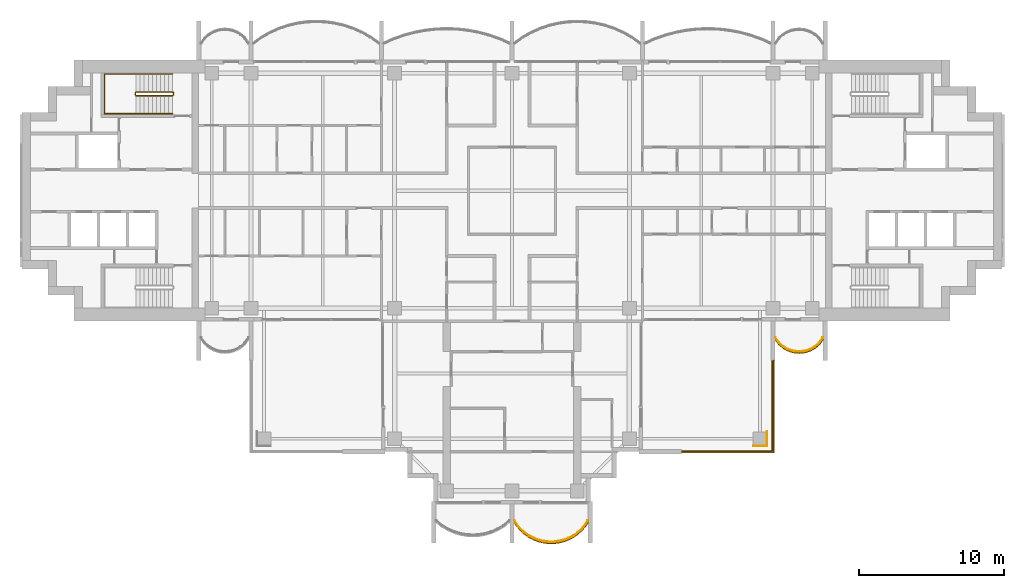
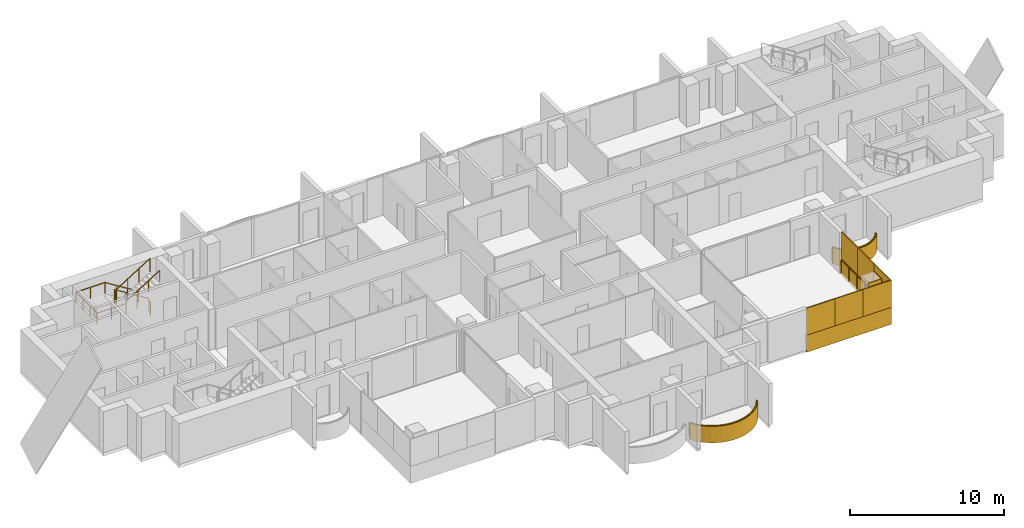
# One storey, part 15 of 17: 11 coverings, 5 railings.
"""IFC4 building model written with IfcOpenShell, lengths in metres."""

import ifcopenshell
import ifcopenshell.guid

model = None  # the IFC model being written
_history = None  # IfcOwnerHistory: only IFC2X3 demands one
_inside = {}  # id of a spatial element -> (the spatial element, [elements in it])
_under = {}  # id of a project, library or spatial element -> (it, [spatial elements below it])
_declared = {}  # id of a project -> (the project, [libraries it declares])
_typed = {}  # id of a type object -> (the type object, [elements of that type])
_made_of = {}  # id of a material, layer set ... -> (it, [elements and type objects made of it])


def new_model(schema):
    """Start an empty IFC model of exactly this schema.

    Asked for "IFC4X3", IfcOpenShell would pick the latest addendum, in which some entities
    have other attributes; the version numbers below select the first issue.
    IFC2X3 requires an IfcOwnerHistory on every rooted entity: one is made here for all.
    """
    global model, _history
    if schema == "IFC4X3":
        model = ifcopenshell.file(schema_version=(4, 3, 0, 0))
    else:
        model = ifcopenshell.file(schema=schema)
    _inside.clear()
    _under.clear()
    _declared.clear()
    _typed.clear()
    _made_of.clear()
    _history = None
    if model.schema == "IFC2X3":
        org = make("IfcOrganization", Name="unknown")
        user = make(
            "IfcPersonAndOrganization",
            ThePerson=make("IfcPerson", FamilyName="unknown"),
            TheOrganization=org,
        )
        app = make(
            "IfcApplication",
            ApplicationDeveloper=org,
            Version="unknown",
            ApplicationFullName="unknown",
            ApplicationIdentifier="unknown",
        )
        _history = make(
            "IfcOwnerHistory",
            OwningUser=user,
            OwningApplication=app,
            ChangeAction="ADDED",
            CreationDate=0,
        )
    return model


def make(cls, **values):
    """One entity of the class cls with the attributes given. An attribute that is None is left unset."""
    return model.create_entity(
        cls, **{name: value for name, value in values.items() if value is not None}
    )


def rooted(cls, **values):
    """An entity with a GlobalId (a new one), such as an element, a storey or a relation."""
    return make(cls, GlobalId=ifcopenshell.guid.new(), OwnerHistory=_history, **values)


def si_unit(unit_type, name, prefix=None):
    """IfcSIUnit, for example si_unit("LENGTHUNIT", "METRE", prefix="MILLI")."""
    return make("IfcSIUnit", UnitType=unit_type, Prefix=prefix, Name=name)


def assignment(units):
    """IfcUnitAssignment: the units of a project."""
    return None if units is None else make("IfcUnitAssignment", Units=units)


def point(xyz):
    """IfcCartesianPoint."""
    return None if xyz is None else make("IfcCartesianPoint", Coordinates=xyz)


def direction(xyz):
    """IfcDirection."""
    return None if xyz is None else make("IfcDirection", DirectionRatios=xyz)


def frame(location, z_axis=None, x_axis=None):
    """IfcAxis2Placement3D, a coordinate frame: its origin and axes. An axis left out is left unset."""
    return make(
        "IfcAxis2Placement3D",
        Location=point(location),
        Axis=direction(z_axis),
        RefDirection=direction(x_axis),
    )


def frame_2d(location, x_axis=None):
    """IfcAxis2Placement2D, a coordinate frame in the plane: its origin and x axis."""
    return make(
        "IfcAxis2Placement2D", Location=point(location), RefDirection=direction(x_axis)
    )


def origin():
    """The frame at (0, 0, 0) with its axes left unset."""
    return frame((0.0, 0.0, 0.0))


def origin_2d():
    """The frame at (0, 0) in the plane with its x axis left unset."""
    return frame_2d((0.0, 0.0))


def place(relative_to, where):
    """IfcLocalPlacement: puts the frame where relative to a parent placement (None: the world)."""
    return make(
        "IfcLocalPlacement", PlacementRelTo=relative_to, RelativePlacement=where
    )


def context(
    kind, dimensions, precision=None, world=None, true_north=None, identifier=None
):
    """IfcGeometricRepresentationContext, for example the 3D "Model" context."""
    return make(
        "IfcGeometricRepresentationContext",
        ContextIdentifier=identifier,
        ContextType=kind,
        CoordinateSpaceDimension=dimensions,
        Precision=precision,
        WorldCoordinateSystem=world,
        TrueNorth=true_north,
    )


def subcontext(parent, identifier, kind, view, scale=None):
    """IfcGeometricRepresentationSubContext, for example "Body" below "Model"."""
    return make(
        "IfcGeometricRepresentationSubContext",
        ContextIdentifier=identifier,
        ContextType=kind,
        ParentContext=parent,
        TargetScale=scale,
        TargetView=view,
    )


def project(units=None, contexts=None):
    """IfcProject with its units and contexts."""
    return rooted(
        "IfcProject",
        Name="project",
        RepresentationContexts=contexts,
        UnitsInContext=assignment(units),
    )


def spatial(cls, under=None, at=None, **own):
    """A site, building, storey or space (cls), placed at a placement, below another one or the project."""
    s = rooted(cls, ObjectPlacement=at, **own)
    if under is not None:
        _under.setdefault(under.id(), (under, []))[1].append(s)
    return s


def polyline(points):
    """IfcPolyline through the points."""
    return make("IfcPolyline", Points=[point(p) for p in points])


def profile(cls, at=None, kind="AREA", **sizes):
    """A parametric profile (cls). Its sizes go by their IFC names, for example OverallWidth=200.0."""
    return make(cls, ProfileType=kind, Position=at, **sizes)


def rectangle(**sizes):
    """IfcRectangleProfileDef."""
    return profile("IfcRectangleProfileDef", **sizes)


def outline(outer, holes=None, kind="AREA"):
    """IfcArbitraryClosedProfileDef: a profile drawn as a closed curve; with holes, ...WithVoids."""
    if holes is None:
        return make("IfcArbitraryClosedProfileDef", ProfileType=kind, OuterCurve=outer)
    return make(
        "IfcArbitraryProfileDefWithVoids",
        ProfileType=kind,
        OuterCurve=outer,
        InnerCurves=holes,
    )


def extrude(swept, where, along, depth):
    """IfcExtrudedAreaSolid: the profile swept, set in the frame where, extruded along a direction by depth."""
    return make(
        "IfcExtrudedAreaSolid",
        SweptArea=swept,
        Position=where,
        ExtrudedDirection=direction(along),
        Depth=depth,
    )


def shape(context_of_items, identifier, shape_type, items):
    """IfcShapeRepresentation: the items that make up one representation, for example the "Body"."""
    return make(
        "IfcShapeRepresentation",
        ContextOfItems=context_of_items,
        RepresentationIdentifier=identifier,
        RepresentationType=shape_type,
        Items=items,
    )


def material(Name=None, Category=None):
    """IfcMaterial."""
    return make("IfcMaterial", Name=Name, Category=Category)


def layer(
    of_material, thickness, ventilated=None, Name=None, Category=None, Priority=None
):
    """IfcMaterialLayer: one layer of a wall or slab, of a material (None: an air gap)."""
    return make(
        "IfcMaterialLayer",
        Material=of_material,
        LayerThickness=thickness,
        IsVentilated=ventilated,
        Name=Name,
        Category=Category,
        Priority=Priority,
    )


def layer_set(layers, Name=None):
    """IfcMaterialLayerSet."""
    return make("IfcMaterialLayerSet", MaterialLayers=layers, LayerSetName=Name)


def made_of(thing, what):
    """Note that an element or type object is made of a material, layer set ...; save() writes the relation."""
    if what is not None:
        _made_of.setdefault(what.id(), (what, []))[1].append(thing)
    return thing


def type_object(cls, material=None, **own):
    """A type object (cls), such as IfcWallType, which elements share."""
    return made_of(rooted(cls, **own), material)


def element(
    cls,
    number,
    at=None,
    inside=None,
    cuts=None,
    type_object=None,
    material=None,
    context=None,
    identifier="Body",
    shape_type=None,
    held_by="IfcProductDefinitionShape",
    body=None,
    shapes=None,
    **own,
):
    """One element of the class cls, such as IfcWall. Its Tag is "e" and its number.

    at: its placement. inside: the storey or other place that contains it. cuts: it is an
    opening in that element (IfcRelVoidsElement). A single representation is given by context,
    identifier, shape_type and body (its items); several are given by shapes. held_by: the class
    of the entity that holds the representations. save() writes the other relations.
    """
    e = rooted(cls, Tag="e%d" % number, ObjectPlacement=at, **own)
    if body is not None:
        shapes = [shape(context, identifier, shape_type, body)]
    if shapes is not None:
        e.Representation = make(held_by, Representations=shapes)
    if inside is not None:
        _inside.setdefault(inside.id(), (inside, []))[1].append(e)
    if cuts is not None:
        rooted(
            "IfcRelVoidsElement", RelatingBuildingElement=cuts, RelatedOpeningElement=e
        )
    if type_object is not None:
        _typed.setdefault(type_object.id(), (type_object, []))[1].append(e)
    return made_of(e, material)


def aggregate(whole, parts):
    """IfcRelAggregates: a whole, such as a stair, and the parts it consists of."""
    return rooted("IfcRelAggregates", RelatingObject=whole, RelatedObjects=parts)


def save(model, path):
    """Write the relations noted so far, then the file.

    IfcRelAggregates (storeys below a building ...), IfcRelContainedInSpatialStructure (elements
    in a storey), IfcRelDefinesByType, IfcRelAssociatesMaterial and IfcRelDeclares: one each for
    every whole, place, type object, material and project.
    """
    for whole, parts in _under.values():
        aggregate(whole, parts)
    for where, things in _inside.values():
        rooted(
            "IfcRelContainedInSpatialStructure",
            RelatedElements=things,
            RelatingStructure=where,
        )
    for kind, things in _typed.values():
        rooted("IfcRelDefinesByType", RelatedObjects=things, RelatingType=kind)
    for what, things in _made_of.values():
        rooted("IfcRelAssociatesMaterial", RelatedObjects=things, RelatingMaterial=what)
    for by, libraries in _declared.values():
        rooted("IfcRelDeclares", RelatingContext=by, RelatedDefinitions=libraries)
    model.write(path)


model = new_model("IFC4")

# Units and contexts
model_context = context("Model", 3, precision=1e-05, world=origin(), true_north=direction((0.0, 1.0)))
body_context = subcontext(model_context, "Body", "Model", "MODEL_VIEW")
ifc_project = project(units=[si_unit("LENGTHUNIT", "METRE"), si_unit("AREAUNIT", "SQUARE_METRE"), si_unit("VOLUMEUNIT", "CUBIC_METRE"), si_unit("PLANEANGLEUNIT", "RADIAN"), si_unit("MASSUNIT", "GRAM", prefix="KILO")], contexts=[model_context])

# Site, building, storey
site_placement = place(None, origin())
site = spatial("IfcSite", under=ifc_project, at=site_placement, CompositionType="ELEMENT")
building_placement = place(site_placement, origin())
building = spatial("IfcBuilding", under=site, at=building_placement, Name="Perihelion Cross Residences", CompositionType="ELEMENT")
storey_placement = place(building_placement, frame((0.0, 0.0, 191.10009765625)))
storey = spatial("IfcBuildingStorey", under=building, at=storey_placement, Name="L47", CompositionType="ELEMENT", Elevation=191.10009765625)

# Coverings
ifc_material_1 = material(Name="Bronze anodised aluminium", Category="aluminium")
ifc_layer_1 = layer(ifc_material_1, 0.070068359375)
ifc_layer_set_1 = layer_set([ifc_layer_1], Name="Balcony fascia 1300")
covering_type_1 = type_object("IfcCoveringType", Name="Balcony fascia 1300", PredefinedType="CLADDING", material=ifc_layer_set_1)
covering_1_placement = place(storey_placement, frame((0.0, 0.0, -0.2001953125)))
element("IfcCovering", 1, at=covering_1_placement, inside=storey, type_object=covering_type_1, Name="Fascia BF1 L47 south tip south bay 2", PredefinedType="CLADDING", context=body_context, shape_type="SweptSolid", body=[
    extrude(outline(polyline([(0.43701171875, -23.322509765625), (0.78515625, -23.66064453125), (1.13330078125, -23.90869140625), (1.4814453125, -24.091064453125), (1.82958984375, -24.22021484375), (2.177734375, -24.30322265625), (2.52587890625, -24.343994140625), (2.8740234375, -24.343994140625), (3.22216796875, -24.30322265625), (3.5703125, -24.22021484375), (3.91845703125, -24.091064453125), (4.2666015625, -23.90869140625), (4.61474609375, -23.66064453125), (4.963134765625, -23.322509765625), (5.25, -22.92041015625), (5.25, -22.800048828125), (4.909912109375, -23.27685546875), (4.570068359375, -23.60693359375), (4.22998046875, -23.84912109375), (3.889892578125, -24.027099609375), (3.550048828125, -24.1533203125), (3.2099609375, -24.234375), (2.8701171875, -24.274169921875), (2.530029296875, -24.274169921875), (2.18994140625, -24.234375), (1.85009765625, -24.1533203125), (1.510009765625, -24.027099609375), (1.169921875, -23.84912109375), (0.830078125, -23.60693359375), (0.489990234375, -23.27685546875), (0.14990234375, -22.800048828125), (0.14990234375, -22.92041015625), (0.43701171875, -23.322509765625)])), origin(), (0.0, 0.0, 1.0), 1.300048828125),
])
covering_2_placement = place(storey_placement, frame((0.0, 0.0, -0.2001953125)))
element("IfcCovering", 2, at=covering_2_placement, inside=storey, type_object=covering_type_1, Name="Fascia BF1 L47 east side south bay 2", PredefinedType="CLADDING", context=body_context, shape_type="SweptSolid", body=[
    extrude(outline(polyline([(18.373779296875, -10.616455078125), (18.6591796875, -10.86328125), (18.9443359375, -11.031494140625), (19.229736328125, -11.142578125), (19.514892578125, -11.206298828125), (19.800048828125, -11.22705078125), (20.085205078125, -11.206298828125), (20.370361328125, -11.142578125), (20.655517578125, -11.031494140625), (20.94091796875, -10.86328125), (21.226318359375, -10.616455078125), (21.449951171875, -10.31689453125), (21.449951171875, -10.199951171875), (21.175048828125, -10.568603515625), (20.89990234375, -10.806396484375), (20.625, -10.96875), (20.35009765625, -11.07568359375), (20.074951171875, -11.136962890625), (19.800048828125, -11.156982421875), (19.52490234375, -11.136962890625), (19.25, -11.07568359375), (18.97509765625, -10.96875), (18.699951171875, -10.806396484375), (18.425048828125, -10.568603515625), (18.14990234375, -10.199951171875), (18.14990234375, -10.31689453125), (18.373779296875, -10.616455078125)])), origin(), (0.0, 0.0, 1.0), 1.300048828125),
])

# Railings
ifc_material_2 = material(Name="Bronze anodised aluminium", Category="aluminium")
railing_type_1 = type_object("IfcRailingType", Name="Balcony guard 1100", PredefinedType="GUARDRAIL", material=ifc_material_2)
railing_1_placement = place(storey_placement, frame((0.175048828125, -22.739990234375, 0.0)))
element("IfcRailing", 3, at=railing_1_placement, inside=storey, type_object=railing_type_1, Name="Guard GU1 L47 south tip south bay 2 balcony", PredefinedType="GUARDRAIL", context=body_context, shape_type="SweptSolid", body=[
    extrude(rectangle(XDim=0.048095703125, YDim=0.048095703125, at=origin_2d()), frame((0.0, 0.0, 1.076171875), z_axis=(0.551145731138, -0.834409002258, 0.0), x_axis=(0.834409002258, 0.551145731138, 0.0)), (0.0, 0.0, 1.0), 0.571533203125),
    extrude(rectangle(XDim=0.048095703125, YDim=0.048095703125, at=origin_2d()), frame((0.31494140625, -0.476806640625, 1.076171875), z_axis=(0.717588263781, -0.696467575472, 0.0), x_axis=(0.696467575472, 0.717588263781, 0.0)), (0.0, 0.0, 1.0), 0.473876953125),
    extrude(rectangle(XDim=0.048095703125, YDim=0.048095703125, at=origin_2d()), frame((0.655029296875, -0.806884765625, 1.076171875), z_axis=(0.814365457194, -0.580352394782, 0.0), x_axis=(0.580352394782, 0.814365457194, 0.0)), (0.0, 0.0, 1.0), 0.417236328125),
    extrude(rectangle(XDim=0.048095703125, YDim=0.048095703125, at=origin_2d()), frame((0.994873046875, -1.049072265625, 1.076171875), z_axis=(0.885744400902, -0.464173304134, 0.0), x_axis=(0.464173304134, 0.885744400902, 0.0)), (0.0, 0.0, 1.0), 0.384033203125),
    extrude(rectangle(XDim=0.048095703125, YDim=0.048095703125, at=origin_2d()), frame((1.3349609375, -1.227294921875, 1.076171875), z_axis=(0.937732519052, -0.347358205191, 0.0), x_axis=(0.347358205191, 0.937732519052, 0.0)), (0.0, 0.0, 1.0), 0.362548828125),
    extrude(rectangle(XDim=0.048095703125, YDim=0.048095703125, at=origin_2d()), frame((1.675048828125, -1.353271484375, 1.076171875), z_axis=(0.972716168284, -0.231998396458, 0.0), x_axis=(0.231998396458, 0.972716168284, 0.0)), (0.0, 0.0, 1.0), 0.349365234375),
    extrude(rectangle(XDim=0.048095703125, YDim=0.048095703125, at=origin_2d()), frame((2.014892578125, -1.434326171875, 1.076171875), z_axis=(0.993223414934, -0.116220686744, 0.0), x_axis=(0.116220686744, 0.993223414934, 0.0)), (0.0, 0.0, 1.0), 0.342529296875),
    extrude(rectangle(XDim=0.048095703125, YDim=0.048095703125, at=origin_2d()), frame((2.35498046875, -1.47412109375, 1.076171875), z_axis=(1.0, 0.0, 0.0), x_axis=(0.0, 1.0, 0.0)), (0.0, 0.0, 1.0), 0.340087890625),
    extrude(rectangle(XDim=0.048095703125, YDim=0.048095703125, at=origin_2d()), frame((2.695068359375, -1.47412109375, 1.076171875), z_axis=(0.993213773886, 0.116303049672, 0.0), x_axis=(-0.116303049672, 0.993213773886, 0.0)), (0.0, 0.0, 1.0), 0.34228515625),
    extrude(rectangle(XDim=0.048095703125, YDim=0.048095703125, at=origin_2d()), frame((3.034912109375, -1.434326171875, 1.076171875), z_axis=(0.972753741142, 0.231840805498, 0.0), x_axis=(-0.231840805498, 0.972753741142, 0.0)), (0.0, 0.0, 1.0), 0.349609375),
    extrude(rectangle(XDim=0.048095703125, YDim=0.048095703125, at=origin_2d()), frame((3.375, -1.353271484375, 1.076171875), z_axis=(0.937651218339, 0.347577606798, 0.0), x_axis=(-0.347577606798, 0.937651218339, 0.0)), (0.0, 0.0, 1.0), 0.362548828125),
    extrude(rectangle(XDim=0.048095703125, YDim=0.048095703125, at=origin_2d()), frame((3.71484375, -1.227294921875, 1.076171875), z_axis=(0.885744400902, 0.464173304134, 0.0), x_axis=(-0.464173304134, 0.885744400902, 0.0)), (0.0, 0.0, 1.0), 0.384033203125),
    extrude(rectangle(XDim=0.048095703125, YDim=0.048095703125, at=origin_2d()), frame((4.054931640625, -1.049072265625, 1.076171875), z_axis=(0.814562360662, 0.580075995532, 0.0), x_axis=(-0.580075995532, 0.814562360662, 0.0)), (0.0, 0.0, 1.0), 0.41748046875),
    extrude(rectangle(XDim=0.048095703125, YDim=0.048095703125, at=origin_2d()), frame((4.39501953125, -0.806884765625, 1.076171875), z_axis=(0.71733824833, 0.696725080274, 0.0), x_axis=(-0.696725080274, 0.71733824833, 0.0)), (0.0, 0.0, 1.0), 0.473876953125),
    extrude(rectangle(XDim=0.048095703125, YDim=0.048095703125, at=origin_2d()), frame((4.73486328125, -0.476806640625, 1.076171875), z_axis=(0.55144309028, 0.834212513801, 0.0), x_axis=(-0.834212513801, 0.55144309028, 0.0)), (0.0, 0.0, 1.0), 0.571533203125),
    extrude(rectangle(XDim=0.0419921875, YDim=0.0419921875, at=origin_2d()), origin(), (0.0, 0.0, 1.0), 1.052001953125),
    extrude(rectangle(XDim=0.0419921875, YDim=0.0419921875, at=origin_2d()), frame((0.31494140625, -0.476806640625, 0.0)), (0.0, 0.0, 1.0), 1.052001953125),
    extrude(rectangle(XDim=0.0419921875, YDim=0.0419921875, at=origin_2d()), frame((0.655029296875, -0.806884765625, 0.0)), (0.0, 0.0, 1.0), 1.052001953125),
    extrude(rectangle(XDim=0.0419921875, YDim=0.0419921875, at=origin_2d()), frame((0.994873046875, -1.049072265625, 0.0)), (0.0, 0.0, 1.0), 1.052001953125),
    extrude(rectangle(XDim=0.0419921875, YDim=0.0419921875, at=origin_2d()), frame((1.3349609375, -1.227294921875, 0.0)), (0.0, 0.0, 1.0), 1.052001953125),
    extrude(rectangle(XDim=0.0419921875, YDim=0.0419921875, at=origin_2d()), frame((1.675048828125, -1.353271484375, 0.0)), (0.0, 0.0, 1.0), 1.052001953125),
    extrude(rectangle(XDim=0.0419921875, YDim=0.0419921875, at=origin_2d()), frame((2.014892578125, -1.434326171875, 0.0)), (0.0, 0.0, 1.0), 1.052001953125),
    extrude(rectangle(XDim=0.0419921875, YDim=0.0419921875, at=origin_2d()), frame((2.35498046875, -1.47412109375, 0.0)), (0.0, 0.0, 1.0), 1.052001953125),
    extrude(rectangle(XDim=0.0419921875, YDim=0.0419921875, at=origin_2d()), frame((2.695068359375, -1.47412109375, 0.0)), (0.0, 0.0, 1.0), 1.052001953125),
    extrude(rectangle(XDim=0.0419921875, YDim=0.0419921875, at=origin_2d()), frame((3.034912109375, -1.434326171875, 0.0)), (0.0, 0.0, 1.0), 1.052001953125),
    extrude(rectangle(XDim=0.0419921875, YDim=0.0419921875, at=origin_2d()), frame((3.375, -1.353271484375, 0.0)), (0.0, 0.0, 1.0), 1.052001953125),
    extrude(rectangle(XDim=0.0419921875, YDim=0.0419921875, at=origin_2d()), frame((3.71484375, -1.227294921875, 0.0)), (0.0, 0.0, 1.0), 1.052001953125),
    extrude(rectangle(XDim=0.0419921875, YDim=0.0419921875, at=origin_2d()), frame((4.054931640625, -1.049072265625, 0.0)), (0.0, 0.0, 1.0), 1.052001953125),
    extrude(rectangle(XDim=0.0419921875, YDim=0.0419921875, at=origin_2d()), frame((4.39501953125, -0.806884765625, 0.0)), (0.0, 0.0, 1.0), 1.052001953125),
    extrude(rectangle(XDim=0.0419921875, YDim=0.0419921875, at=origin_2d()), frame((4.73486328125, -0.476806640625, 0.0)), (0.0, 0.0, 1.0), 1.052001953125),
    extrude(rectangle(XDim=0.0419921875, YDim=0.0419921875, at=origin_2d()), frame((5.050048828125, 0.0, 0.0)), (0.0, 0.0, 1.0), 1.052001953125),
])
railing_2_placement = place(storey_placement, frame((18.175048828125, -10.139892578125, 0.0)))
element("IfcRailing", 4, at=railing_2_placement, inside=storey, type_object=railing_type_1, Name="Guard GU1 L47 east side south bay 2 balcony", PredefinedType="GUARDRAIL", context=body_context, shape_type="SweptSolid", body=[
    extrude(rectangle(XDim=0.048095703125, YDim=0.048095703125, at=origin_2d()), frame((0.0, 0.0, 1.076171875), z_axis=(0.561260132269, -0.827639452857, 0.0), x_axis=(0.827639452857, 0.561260132269, 0.0)), (0.0, 0.0, 1.0), 0.4453125),
    extrude(rectangle(XDim=0.048095703125, YDim=0.048095703125, at=origin_2d()), frame((0.25, -0.36865234375, 1.076171875), z_axis=(0.756309278473, -0.654214242658, 0.0), x_axis=(0.654214242658, 0.756309278473, 0.0)), (0.0, 0.0, 1.0), 0.363525390625),
    extrude(rectangle(XDim=0.048095703125, YDim=0.048095703125, at=origin_2d()), frame((0.52490234375, -0.6064453125, 1.076171875), z_axis=(0.861245845072, -0.508188542123, 0.0), x_axis=(0.508188542123, 0.861245845072, 0.0)), (0.0, 0.0, 1.0), 0.319580078125),
    extrude(rectangle(XDim=0.048095703125, YDim=0.048095703125, at=origin_2d()), frame((0.800048828125, -0.768798828125, 1.076171875), z_axis=(0.931973602183, -0.362526143656, 0.0), x_axis=(0.362526143656, 0.931973602183, 0.0)), (0.0, 0.0, 1.0), 0.294921875),
    extrude(rectangle(XDim=0.048095703125, YDim=0.048095703125, at=origin_2d()), frame((1.074951171875, -0.875732421875, 1.076171875), z_axis=(0.976044077717, -0.217572880557, 0.0), x_axis=(0.217572880557, 0.976044077717, 0.0)), (0.0, 0.0, 1.0), 0.28173828125),
    extrude(rectangle(XDim=0.048095703125, YDim=0.048095703125, at=origin_2d()), frame((1.349853515625, -0.93701171875, 1.076171875), z_axis=(0.997363488337, -0.072567707226, 0.0), x_axis=(0.072567707226, 0.997363488337, 0.0)), (0.0, 0.0, 1.0), 0.27587890625),
    extrude(rectangle(XDim=0.048095703125, YDim=0.048095703125, at=origin_2d()), frame((1.625, -0.95703125, 1.076171875), z_axis=(0.997358821833, 0.072631814734, 0.0), x_axis=(-0.072631814734, 0.997358821833, 0.0)), (0.0, 0.0, 1.0), 0.275634765625),
    extrude(rectangle(XDim=0.048095703125, YDim=0.048095703125, at=origin_2d()), frame((1.89990234375, -0.93701171875, 1.076171875), z_axis=(0.976085059389, 0.21738895289, 0.0), x_axis=(-0.21738895289, 0.976085059389, 0.0)), (0.0, 0.0, 1.0), 0.281982421875),
    extrude(rectangle(XDim=0.048095703125, YDim=0.048095703125, at=origin_2d()), frame((2.175048828125, -0.875732421875, 1.076171875), z_axis=(0.931973602183, 0.362526143656, 0.0), x_axis=(-0.362526143656, 0.931973602183, 0.0)), (0.0, 0.0, 1.0), 0.294921875),
    extrude(rectangle(XDim=0.048095703125, YDim=0.048095703125, at=origin_2d()), frame((2.449951171875, -0.768798828125, 1.076171875), z_axis=(0.861048292884, 0.508523192511, 0.0), x_axis=(-0.508523192511, 0.861048292884, 0.0)), (0.0, 0.0, 1.0), 0.3193359375),
    extrude(rectangle(XDim=0.048095703125, YDim=0.048095703125, at=origin_2d()), frame((2.724853515625, -0.6064453125, 1.076171875), z_axis=(0.756596535164, 0.653882009982, 0.0), x_axis=(-0.653882009982, 0.756596535164, 0.0)), (0.0, 0.0, 1.0), 0.36376953125),
    extrude(rectangle(XDim=0.048095703125, YDim=0.048095703125, at=origin_2d()), frame((3.0, -0.36865234375, 1.076171875), z_axis=(0.561260132269, 0.827639452857, 0.0), x_axis=(-0.827639452857, 0.561260132269, 0.0)), (0.0, 0.0, 1.0), 0.4453125),
    extrude(rectangle(XDim=0.0419921875, YDim=0.0419921875, at=origin_2d()), origin(), (0.0, 0.0, 1.0), 1.052001953125),
    extrude(rectangle(XDim=0.0419921875, YDim=0.0419921875, at=origin_2d()), frame((0.25, -0.36865234375, 0.0)), (0.0, 0.0, 1.0), 1.052001953125),
    extrude(rectangle(XDim=0.0419921875, YDim=0.0419921875, at=origin_2d()), frame((0.52490234375, -0.6064453125, 0.0)), (0.0, 0.0, 1.0), 1.052001953125),
    extrude(rectangle(XDim=0.0419921875, YDim=0.0419921875, at=origin_2d()), frame((0.800048828125, -0.768798828125, 0.0)), (0.0, 0.0, 1.0), 1.052001953125),
    extrude(rectangle(XDim=0.0419921875, YDim=0.0419921875, at=origin_2d()), frame((1.074951171875, -0.875732421875, 0.0)), (0.0, 0.0, 1.0), 1.052001953125),
    extrude(rectangle(XDim=0.0419921875, YDim=0.0419921875, at=origin_2d()), frame((1.349853515625, -0.93701171875, 0.0)), (0.0, 0.0, 1.0), 1.052001953125),
    extrude(rectangle(XDim=0.0419921875, YDim=0.0419921875, at=origin_2d()), frame((1.625, -0.95703125, 0.0)), (0.0, 0.0, 1.0), 1.052001953125),
    extrude(rectangle(XDim=0.0419921875, YDim=0.0419921875, at=origin_2d()), frame((1.89990234375, -0.93701171875, 0.0)), (0.0, 0.0, 1.0), 1.052001953125),
    extrude(rectangle(XDim=0.0419921875, YDim=0.0419921875, at=origin_2d()), frame((2.175048828125, -0.875732421875, 0.0)), (0.0, 0.0, 1.0), 1.052001953125),
    extrude(rectangle(XDim=0.0419921875, YDim=0.0419921875, at=origin_2d()), frame((2.449951171875, -0.768798828125, 0.0)), (0.0, 0.0, 1.0), 1.052001953125),
    extrude(rectangle(XDim=0.0419921875, YDim=0.0419921875, at=origin_2d()), frame((2.724853515625, -0.6064453125, 0.0)), (0.0, 0.0, 1.0), 1.052001953125),
    extrude(rectangle(XDim=0.0419921875, YDim=0.0419921875, at=origin_2d()), frame((3.0, -0.36865234375, 0.0)), (0.0, 0.0, 1.0), 1.052001953125),
    extrude(rectangle(XDim=0.0419921875, YDim=0.0419921875, at=origin_2d()), frame((3.25, 0.0, 0.0)), (0.0, 0.0, 1.0), 1.052001953125),
])
railing_3_placement = place(storey_placement, frame((17.93994140625, -11.739990234375, 0.0)))
element("IfcRailing", 5, at=railing_3_placement, inside=storey, type_object=railing_type_1, Name="Guard GU1 L47 pocket south-east 1", PredefinedType="GUARDRAIL", context=body_context, shape_type="SweptSolid", body=[
    extrude(rectangle(XDim=0.048095703125, YDim=0.048095703125, at=origin_2d()), frame((0.0, 0.0, 1.076171875), z_axis=(0.0, -1.0, 0.0), x_axis=(1.0, 0.0, 0.0)), (0.0, 0.0, 1.0), 6.199951171875),
    extrude(rectangle(XDim=0.048095703125, YDim=0.048095703125, at=origin_2d()), frame((0.0, -6.199951171875, 1.076171875), z_axis=(-1.0, 0.0, 0.0), x_axis=(0.0, -1.0, 0.0)), (0.0, 0.0, 1.0), 6.199951171875),
    extrude(rectangle(XDim=0.0419921875, YDim=0.0419921875, at=origin_2d()), origin(), (0.0, 0.0, 1.0), 1.052001953125),
    extrude(rectangle(XDim=0.0419921875, YDim=0.0419921875, at=origin_2d()), frame((0.0, -1.033203125, 0.0)), (0.0, 0.0, 1.0), 1.052001953125),
    extrude(rectangle(XDim=0.0419921875, YDim=0.0419921875, at=origin_2d()), frame((0.0, -2.066650390625, 0.0)), (0.0, 0.0, 1.0), 1.052001953125),
    extrude(rectangle(XDim=0.0419921875, YDim=0.0419921875, at=origin_2d()), frame((0.0, -3.10009765625, 0.0)), (0.0, 0.0, 1.0), 1.052001953125),
    extrude(rectangle(XDim=0.0419921875, YDim=0.0419921875, at=origin_2d()), frame((0.0, -4.13330078125, 0.0)), (0.0, 0.0, 1.0), 1.052001953125),
    extrude(rectangle(XDim=0.0419921875, YDim=0.0419921875, at=origin_2d()), frame((0.0, -5.16650390625, 0.0)), (0.0, 0.0, 1.0), 1.052001953125),
    extrude(rectangle(XDim=0.0419921875, YDim=0.0419921875, at=origin_2d()), frame((0.0, -6.199951171875, 0.0)), (0.0, 0.0, 1.0), 1.052001953125),
    extrude(rectangle(XDim=0.0419921875, YDim=0.0419921875, at=origin_2d()), frame((-1.033203125, -6.199951171875, 0.0)), (0.0, 0.0, 1.0), 1.052001953125),
    extrude(rectangle(XDim=0.0419921875, YDim=0.0419921875, at=origin_2d()), frame((-2.066650390625, -6.199951171875, 0.0)), (0.0, 0.0, 1.0), 1.052001953125),
    extrude(rectangle(XDim=0.0419921875, YDim=0.0419921875, at=origin_2d()), frame((-3.10009765625, -6.199951171875, 0.0)), (0.0, 0.0, 1.0), 1.052001953125),
    extrude(rectangle(XDim=0.0419921875, YDim=0.0419921875, at=origin_2d()), frame((-4.13330078125, -6.199951171875, 0.0)), (0.0, 0.0, 1.0), 1.052001953125),
    extrude(rectangle(XDim=0.0419921875, YDim=0.0419921875, at=origin_2d()), frame((-5.16650390625, -6.199951171875, 0.0)), (0.0, 0.0, 1.0), 1.052001953125),
    extrude(rectangle(XDim=0.0419921875, YDim=0.0419921875, at=origin_2d()), frame((-6.199951171875, -6.199951171875, 0.0)), (0.0, 0.0, 1.0), 1.052001953125),
])

# Coverings
ifc_material_3 = material(Name="Bronze anodised aluminium", Category="aluminium")
ifc_layer_2 = layer(ifc_material_3, 0.0400390625)
ifc_layer_set_2 = layer_set([ifc_layer_2], Name="Bronze column casing 40")
covering_type_2 = type_object("IfcCoveringType", Name="Bronze column casing 40", PredefinedType="CLADDING", material=ifc_layer_set_2)
covering_3_placement = place(storey_placement, frame((17.594970703125, -17.10009765625, -0.25), z_axis=(0.0, 0.0, 1.0), x_axis=(1.0, 0.0, 0.0)))
element("IfcCovering", 6, at=covering_3_placement, inside=storey, type_object=covering_type_2, Name="Cladding CC1 L47 casing east-west no. 2", PredefinedType="CLADDING", context=body_context, shape_type="SweptSolid", body=[
    extrude(rectangle(XDim=0.0400390625, YDim=1.030029296875, at=origin_2d()), origin(), (0.0, 0.0, 1.0), 3.5),
])
covering_4_placement = place(storey_placement, frame((17.10009765625, -17.594970703125, -0.25), z_axis=(0.0, 0.0, 1.0), x_axis=(1.0, 0.0, 0.0)))
element("IfcCovering", 7, at=covering_4_placement, inside=storey, type_object=covering_type_2, Name="Cladding CC1 L47 casing north-south no. 2", PredefinedType="CLADDING", context=body_context, shape_type="SweptSolid", body=[
    extrude(rectangle(XDim=0.949951171875, YDim=0.0400390625, at=origin_2d()), origin(), (0.0, 0.0, 1.0), 3.5),
])
ifc_material_4 = material(Name="Bronze anodised aluminium", Category="aluminium")
ifc_layer_3 = layer(ifc_material_4, 0.070068359375)
ifc_layer_set_3 = layer_set([ifc_layer_3], Name="Pocket fascia 1350")
covering_type_3 = type_object("IfcCoveringType", Name="Pocket fascia 1350", PredefinedType="CLADDING", material=ifc_layer_set_3)
covering_5_placement = place(storey_placement, frame((0.0, 0.0, -0.25)))
element("IfcCovering", 8, at=covering_5_placement, inside=storey, type_object=covering_type_3, Name="Fascia BF2 L47 pocket south-east 3", PredefinedType="CLADDING", context=body_context, shape_type="SweptSolid", body=[
    extrude(outline(polyline([(18.070068359375, -18.070068359375), (18.070068359375, -11.699951171875), (18.0, -11.699951171875), (18.0, -18.0), (11.699951171875, -18.0), (11.699951171875, -18.070068359375), (18.070068359375, -18.070068359375)])), origin(), (0.0, 0.0, 1.0), 1.349853515625),
])
ifc_material_5 = material(Name="Bronze perforated aluminium", Category="aluminium")
ifc_layer_4 = layer(ifc_material_5, 0.070068359375)
ifc_layer_set_4 = layer_set([ifc_layer_4], Name="Pocket solar screen, bronze perforated")
covering_type_4 = type_object("IfcCoveringType", Name="Pocket solar screen, bronze perforated", PredefinedType="CLADDING", material=ifc_layer_set_4)
covering_6_placement = place(storey_placement, frame((0.0, 0.0, 1.099853515625)))
element("IfcCovering", 9, at=covering_6_placement, inside=storey, type_object=covering_type_4, Name="Solar screen PS1 L47 pocket south-east no. 1", PredefinedType="CLADDING", context=body_context, shape_type="SweptSolid", body=[
    extrude(outline(polyline([(18.070068359375, -18.0), (18.070068359375, -15.89990234375), (18.0, -15.89990234375), (18.0, -18.0), (18.070068359375, -18.0)])), origin(), (0.0, 0.0, 1.0), 2.150146484375),
])
covering_7_placement = place(storey_placement, frame((0.0, 0.0, 1.099853515625)))
element("IfcCovering", 10, at=covering_7_placement, inside=storey, type_object=covering_type_4, Name="Solar screen PS1 L47 pocket south-east no. 2", PredefinedType="CLADDING", context=body_context, shape_type="SweptSolid", body=[
    extrude(outline(polyline([(18.070068359375, -15.89990234375), (18.070068359375, -13.800048828125), (18.0, -13.800048828125), (18.0, -15.89990234375), (18.070068359375, -15.89990234375)])), origin(), (0.0, 0.0, 1.0), 2.150146484375),
])
covering_8_placement = place(storey_placement, frame((0.0, 0.0, 1.099853515625)))
element("IfcCovering", 11, at=covering_8_placement, inside=storey, type_object=covering_type_4, Name="Solar screen PS1 L47 pocket south-east no. 3", PredefinedType="CLADDING", context=body_context, shape_type="SweptSolid", body=[
    extrude(outline(polyline([(18.070068359375, -13.800048828125), (18.070068359375, -11.699951171875), (18.0, -11.699951171875), (18.0, -13.800048828125), (18.070068359375, -13.800048828125)])), origin(), (0.0, 0.0, 1.0), 2.150146484375),
])
covering_9_placement = place(storey_placement, frame((0.0, 0.0, 1.099853515625)))
element("IfcCovering", 12, at=covering_9_placement, inside=storey, type_object=covering_type_4, Name="Solar screen PS1 L47 pocket south-east no. 4", PredefinedType="CLADDING", context=body_context, shape_type="SweptSolid", body=[
    extrude(outline(polyline([(13.8232421875, -18.070068359375), (13.8232421875, -18.0), (11.699951171875, -18.0), (11.699951171875, -18.070068359375), (13.8232421875, -18.070068359375)])), origin(), (0.0, 0.0, 1.0), 2.150146484375),
])
covering_10_placement = place(storey_placement, frame((0.0, 0.0, 1.099853515625)))
element("IfcCovering", 13, at=covering_10_placement, inside=storey, type_object=covering_type_4, Name="Solar screen PS1 L47 pocket south-east no. 5", PredefinedType="CLADDING", context=body_context, shape_type="SweptSolid", body=[
    extrude(outline(polyline([(15.94677734375, -18.070068359375), (15.94677734375, -18.0), (13.8232421875, -18.0), (13.8232421875, -18.070068359375), (15.94677734375, -18.070068359375)])), origin(), (0.0, 0.0, 1.0), 2.150146484375),
])
covering_11_placement = place(storey_placement, frame((0.0, 0.0, 1.099853515625)))
element("IfcCovering", 14, at=covering_11_placement, inside=storey, type_object=covering_type_4, Name="Solar screen PS1 L47 pocket south-east no. 6", PredefinedType="CLADDING", context=body_context, shape_type="SweptSolid", body=[
    extrude(outline(polyline([(18.070068359375, -18.070068359375), (18.070068359375, -18.0), (15.94677734375, -18.0), (15.94677734375, -18.070068359375), (18.070068359375, -18.070068359375)])), origin(), (0.0, 0.0, 1.0), 2.150146484375),
])

# Railings
ifc_material_6 = material(Name="Stainless steel", Category="steel")
railing_type_2 = type_object("IfcRailingType", Name="Stair guard 1100", PredefinedType="GUARDRAIL", material=ifc_material_6)
railing_4_placement = place(storey_placement, frame((-23.35009765625, 6.60009765625, 0.0)))
element("IfcRailing", 15, at=railing_4_placement, inside=storey, type_object=railing_type_2, Name="L47 ST-W1 stair guard 1", PredefinedType="GUARDRAIL", context=body_context, shape_type="SweptSolid", body=[
    extrude(rectangle(XDim=0.048095703125, YDim=0.048095703125, at=origin_2d()), frame((0.0, 0.0, 1.076171875), z_axis=(0.0, 1.0, 0.0), x_axis=(-1.0, 0.0, 0.0)), (0.0, 0.0, 1.0), 0.14990234375),
    extrude(rectangle(XDim=0.048095703125, YDim=0.048095703125, at=origin_2d()), frame((0.0, 0.14990234375, 1.076171875), z_axis=(-0.264179342666, 0.265474339444, 0.927217692888), x_axis=(-0.708833529934, -0.705375805398, 0.0)), (0.0, 0.0, 1.0), 0.1884765625),
    extrude(rectangle(XDim=0.048095703125, YDim=0.048095703125, at=origin_2d()), frame((-0.0498046875, 0.199951171875, 1.2509765625), z_axis=(-0.847970611238, 0.0, 0.530043245855), x_axis=(0.0, -1.0, 0.0)), (0.0, 0.0, 1.0), 2.971923828125),
    extrude(rectangle(XDim=0.048095703125, YDim=0.048095703125, at=origin_2d()), frame((-2.56982421875, 0.199951171875, 2.826171875), z_axis=(-0.707106781187, -0.707106781187, 0.0), x_axis=(0.707106781187, -0.707106781187, 0.0)), (0.0, 0.0, 1.0), 0.07080078125),
    extrude(rectangle(XDim=0.048095703125, YDim=0.048095703125, at=origin_2d()), frame((-2.619873046875, 0.14990234375, 2.826171875), z_axis=(0.0, -1.0, 0.0), x_axis=(1.0, 0.0, 0.0)), (0.0, 0.0, 1.0), 0.14990234375),
    extrude(rectangle(XDim=0.048095703125, YDim=0.048095703125, at=origin_2d()), frame((-2.619873046875, 0.0, 2.826171875), z_axis=(0.265383341853, -0.265383341853, 0.926899867156), x_axis=(0.707106781187, 0.707106781187, 0.0)), (0.0, 0.0, 1.0), 0.1884765625),
    extrude(rectangle(XDim=0.048095703125, YDim=0.048095703125, at=origin_2d()), frame((-2.56982421875, -0.050048828125, 3.0009765625), z_axis=(0.847970611238, 0.0, 0.530043245855), x_axis=(0.0, 1.0, 0.0)), (0.0, 0.0, 1.0), 2.971923828125),
    extrude(rectangle(XDim=0.0419921875, YDim=0.0419921875, at=origin_2d()), origin(), (0.0, 0.0, 1.0), 1.052001953125),
    extrude(rectangle(XDim=0.0419921875, YDim=0.0419921875, at=origin_2d()), frame((0.0, 0.14990234375, 0.0)), (0.0, 0.0, 1.0), 1.052001953125),
    extrude(rectangle(XDim=0.0419921875, YDim=0.0419921875, at=origin_2d()), frame((-0.0498046875, 0.199951171875, 0.1748046875)), (0.0, 0.0, 1.0), 1.052001953125),
    extrude(rectangle(XDim=0.0419921875, YDim=0.0419921875, at=origin_2d()), frame((-0.889892578125, 0.199951171875, 0.699951171875)), (0.0, 0.0, 1.0), 1.052001953125),
    extrude(rectangle(XDim=0.0419921875, YDim=0.0419921875, at=origin_2d()), frame((-1.729736328125, 0.199951171875, 1.224853515625)), (0.0, 0.0, 1.0), 1.052001953125),
    extrude(rectangle(XDim=0.0419921875, YDim=0.0419921875, at=origin_2d()), frame((-2.56982421875, 0.199951171875, 1.75)), (0.0, 0.0, 1.0), 1.052001953125),
    extrude(rectangle(XDim=0.0419921875, YDim=0.0419921875, at=origin_2d()), frame((-2.619873046875, 0.14990234375, 1.75)), (0.0, 0.0, 1.0), 1.052001953125),
    extrude(rectangle(XDim=0.0419921875, YDim=0.0419921875, at=origin_2d()), frame((-2.619873046875, 0.0, 1.75)), (0.0, 0.0, 1.0), 1.052001953125),
    extrude(rectangle(XDim=0.0419921875, YDim=0.0419921875, at=origin_2d()), frame((-2.56982421875, -0.050048828125, 1.9248046875)), (0.0, 0.0, 1.0), 1.052001953125),
    extrude(rectangle(XDim=0.0419921875, YDim=0.0419921875, at=origin_2d()), frame((-1.729736328125, -0.050048828125, 2.449951171875)), (0.0, 0.0, 1.0), 1.052001953125),
    extrude(rectangle(XDim=0.0419921875, YDim=0.0419921875, at=origin_2d()), frame((-0.889892578125, -0.050048828125, 2.974853515625)), (0.0, 0.0, 1.0), 1.052001953125),
    extrude(rectangle(XDim=0.0419921875, YDim=0.0419921875, at=origin_2d()), frame((-0.0498046875, -0.050048828125, 3.5)), (0.0, 0.0, 1.0), 1.052001953125),
])
ifc_material_7 = material(Name="Stainless steel", Category="steel")
railing_type_3 = type_object("IfcRailingType", Name="Stair handrail 900", PredefinedType="HANDRAIL", material=ifc_material_7)
railing_5_placement = place(storey_placement, frame((-23.39990234375, 8.050048828125, 0.1748046875)))
element("IfcRailing", 16, at=railing_5_placement, inside=storey, type_object=railing_type_3, Name="L47 ST-W1 stair handrail 1", PredefinedType="HANDRAIL", context=body_context, shape_type="SweptSolid", body=[
    extrude(rectangle(XDim=0.048095703125, YDim=0.048095703125, at=origin_2d()), frame((0.0, 0.0, 0.8759765625), z_axis=(-0.847970611238, 0.0, 0.530043245855), x_axis=(0.0, -1.0, 0.0)), (0.0, 0.0, 1.0), 2.971923828125),
    extrude(rectangle(XDim=0.048095703125, YDim=0.048095703125, at=origin_2d()), frame((-2.52001953125, 0.0, 2.451171875), z_axis=(-1.0, 0.0, 0.0), x_axis=(0.0, -1.0, 0.0)), (0.0, 0.0, 1.0), 2.18017578125),
    extrude(rectangle(XDim=0.048095703125, YDim=0.048095703125, at=origin_2d()), frame((-4.7001953125, 0.0, 2.451171875), z_axis=(0.0, -1.0, 0.0), x_axis=(1.0, 0.0, 0.0)), (0.0, 0.0, 1.0), 2.75),
    extrude(rectangle(XDim=0.048095703125, YDim=0.048095703125, at=origin_2d()), frame((-4.7001953125, -2.75, 2.451171875), z_axis=(1.0, 0.0, 0.0), x_axis=(0.0, 1.0, 0.0)), (0.0, 0.0, 1.0), 2.18017578125),
    extrude(rectangle(XDim=0.048095703125, YDim=0.048095703125, at=origin_2d()), frame((-2.52001953125, -2.75, 2.451171875), z_axis=(0.0, 0.0, 1.0), x_axis=(1.0, 0.0, 0.0)), (0.0, 0.0, 1.0), 0.1748046875),
    extrude(rectangle(XDim=0.048095703125, YDim=0.048095703125, at=origin_2d()), frame((-2.52001953125, -2.75, 2.6259765625), z_axis=(0.847970611238, 0.0, 0.530043245855), x_axis=(0.0, 1.0, 0.0)), (0.0, 0.0, 1.0), 2.971923828125),
    extrude(rectangle(XDim=0.0419921875, YDim=0.0419921875, at=origin_2d()), origin(), (0.0, 0.0, 1.0), 0.851806640625),
    extrude(rectangle(XDim=0.0419921875, YDim=0.0419921875, at=origin_2d()), frame((-0.840087890625, 0.0, 0.525146484375)), (0.0, 0.0, 1.0), 0.851806640625),
    extrude(rectangle(XDim=0.0419921875, YDim=0.0419921875, at=origin_2d()), frame((-1.679931640625, 0.0, 1.050048828125)), (0.0, 0.0, 1.0), 0.851806640625),
    extrude(rectangle(XDim=0.0419921875, YDim=0.0419921875, at=origin_2d()), frame((-2.52001953125, 0.0, 1.5751953125)), (0.0, 0.0, 1.0), 0.851806640625),
    extrude(rectangle(XDim=0.0419921875, YDim=0.0419921875, at=origin_2d()), frame((-3.610107421875, 0.0, 1.5751953125)), (0.0, 0.0, 1.0), 0.851806640625),
    extrude(rectangle(XDim=0.0419921875, YDim=0.0419921875, at=origin_2d()), frame((-4.7001953125, 0.0, 1.5751953125)), (0.0, 0.0, 1.0), 0.851806640625),
    extrude(rectangle(XDim=0.0419921875, YDim=0.0419921875, at=origin_2d()), frame((-4.7001953125, -0.916748046875, 1.5751953125)), (0.0, 0.0, 1.0), 0.851806640625),
    extrude(rectangle(XDim=0.0419921875, YDim=0.0419921875, at=origin_2d()), frame((-4.7001953125, -1.833251953125, 1.5751953125)), (0.0, 0.0, 1.0), 0.851806640625),
    extrude(rectangle(XDim=0.0419921875, YDim=0.0419921875, at=origin_2d()), frame((-4.7001953125, -2.75, 1.5751953125)), (0.0, 0.0, 1.0), 0.851806640625),
    extrude(rectangle(XDim=0.0419921875, YDim=0.0419921875, at=origin_2d()), frame((-3.610107421875, -2.75, 1.5751953125)), (0.0, 0.0, 1.0), 0.851806640625),
    extrude(rectangle(XDim=0.0419921875, YDim=0.0419921875, at=origin_2d()), frame((-2.52001953125, -2.75, 1.5751953125)), (0.0, 0.0, 1.0), 0.851806640625),
    extrude(rectangle(XDim=0.0419921875, YDim=0.0419921875, at=origin_2d()), frame((-2.52001953125, -2.75, 1.75)), (0.0, 0.0, 1.0), 0.851806640625),
    extrude(rectangle(XDim=0.0419921875, YDim=0.0419921875, at=origin_2d()), frame((-1.679931640625, -2.75, 2.275146484375)), (0.0, 0.0, 1.0), 0.851806640625),
    extrude(rectangle(XDim=0.0419921875, YDim=0.0419921875, at=origin_2d()), frame((-0.840087890625, -2.75, 2.800048828125)), (0.0, 0.0, 1.0), 0.851806640625),
    extrude(rectangle(XDim=0.0419921875, YDim=0.0419921875, at=origin_2d()), frame((0.0, -2.75, 3.3251953125)), (0.0, 0.0, 1.0), 0.851806640625),
])

save(model, "model.ifc")
